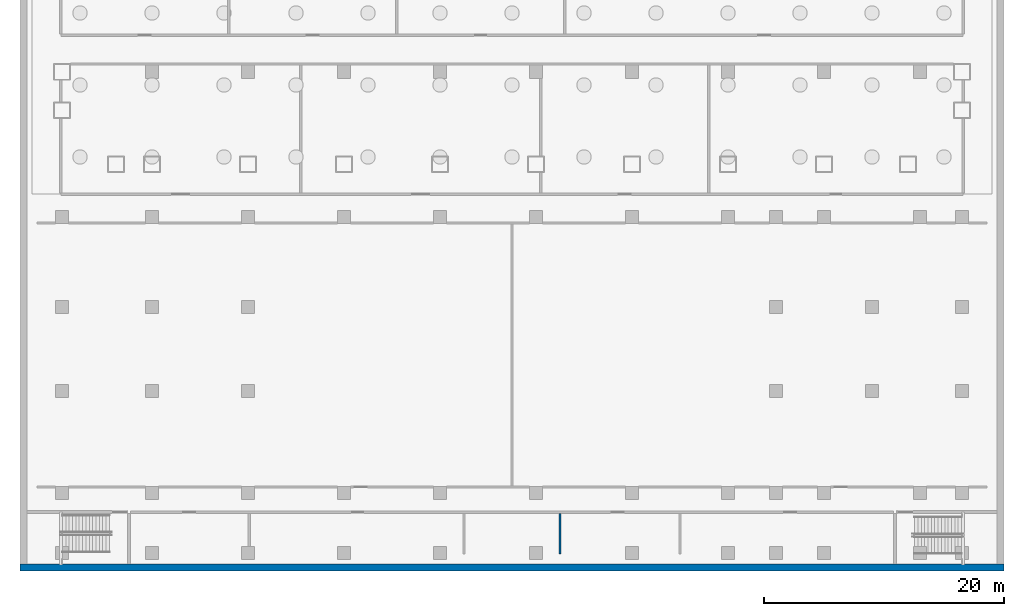
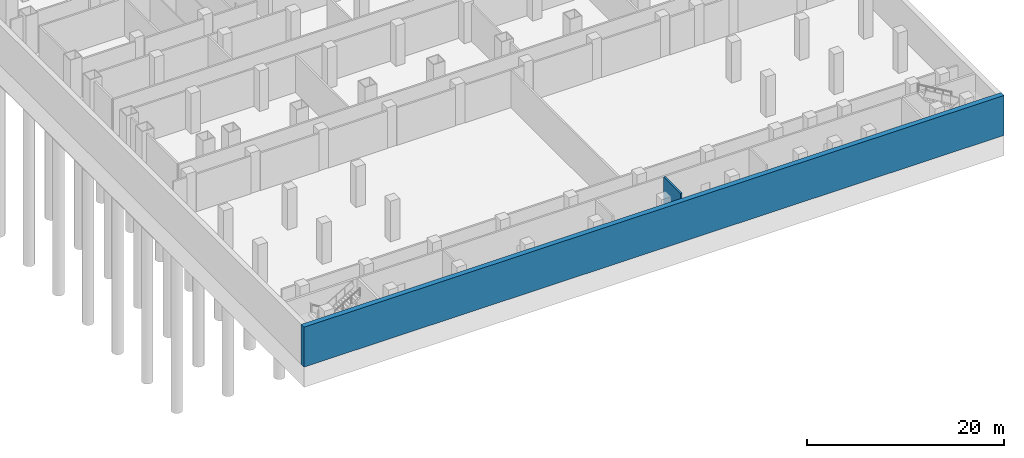
# One storey, part 3 of 14: 2 walls.
"""IFC4 building model written with IfcOpenShell, lengths in metres."""

from ifc_helpers import new_model, si_unit, direction, frame, frame_2d, origin, place, context, subcontext, project, spatial, rectangle, extrude, material, layer, layer_set, type_object, element, save


model = new_model("IFC4")

# Units and contexts
model_context = context("Model", 3, precision=1e-05, world=origin(), true_north=direction((0.0, 1.0)))
body_context = subcontext(model_context, "Body", "Model", "MODEL_VIEW")
ifc_project = project(units=[si_unit("LENGTHUNIT", "METRE"), si_unit("AREAUNIT", "SQUARE_METRE"), si_unit("VOLUMEUNIT", "CUBIC_METRE"), si_unit("PLANEANGLEUNIT", "RADIAN"), si_unit("MASSUNIT", "GRAM", prefix="KILO")], contexts=[model_context])

# Site, building, storey
site_placement = place(None, origin())
site = spatial("IfcSite", under=ifc_project, at=site_placement, CompositionType="ELEMENT")
building_placement = place(site_placement, origin())
building = spatial("IfcBuilding", under=site, at=building_placement, Name="Vidyagriha Tower", CompositionType="ELEMENT")
storey_placement = place(building_placement, frame((0.0, 0.0, -10.0)))
storey = spatial("IfcBuildingStorey", under=building, at=storey_placement, Name="B2", CompositionType="ELEMENT", Elevation=-10.0)

# Walls
ifc_material_1 = material(Name="Concrete C50/60", Category="concrete")
ifc_layer_1 = layer(ifc_material_1, 0.60009765625)
ifc_layer_set_1 = layer_set([ifc_layer_1], Name="Concrete C50/60")
wall_type_1 = type_object("IfcWallType", Name="Basement retaining wall 600", PredefinedType="SOLIDWALL", material=ifc_layer_set_1)
wall_1_placement = place(storey_placement, frame((-41.0, -50.699951171875, -0.300048828125)))
element("IfcWall", 1, at=wall_1_placement, inside=storey, type_object=wall_type_1, Name="st-retwall-B2-s", PredefinedType="SOLIDWALL", context=body_context, shape_type="SweptSolid", body=[
    extrude(rectangle(XDim=82.0, YDim=0.60009765625, at=frame_2d((41.0, 0.0))), origin(), (0.0, 0.0, 1.0), 4.949951171875),
])
ifc_material_2 = material(Name="Fire rated gypsum board on light gauge framing")
ifc_layer_2 = layer(ifc_material_2, 0.199951171875)
ifc_layer_set_2 = layer_set([ifc_layer_2], Name="Fire rated gypsum board on light gauge framing")
wall_type_2 = type_object("IfcWallType", Name="Fire Rated Corridor Wall 200", PredefinedType="PARTITIONING", material=ifc_layer_set_2)
wall_2_placement = place(storey_placement, frame((4.0, -49.60009765625, 0.0), z_axis=(0.0, 0.0, 1.0), x_axis=(0.0, 1.0, 0.0)))
element("IfcWall", 2, at=wall_2_placement, inside=storey, type_object=wall_type_2, Name="B2 Fire Rated Corridor Wall 200 076", PredefinedType="PARTITIONING", context=body_context, shape_type="SweptSolid", body=[
    extrude(rectangle(XDim=3.400146484375, YDim=0.199951171875, at=frame_2d((1.7001953125, 0.0))), origin(), (0.0, 0.0, 1.0), 4.64990234375),
])

save(model, "model.ifc")
